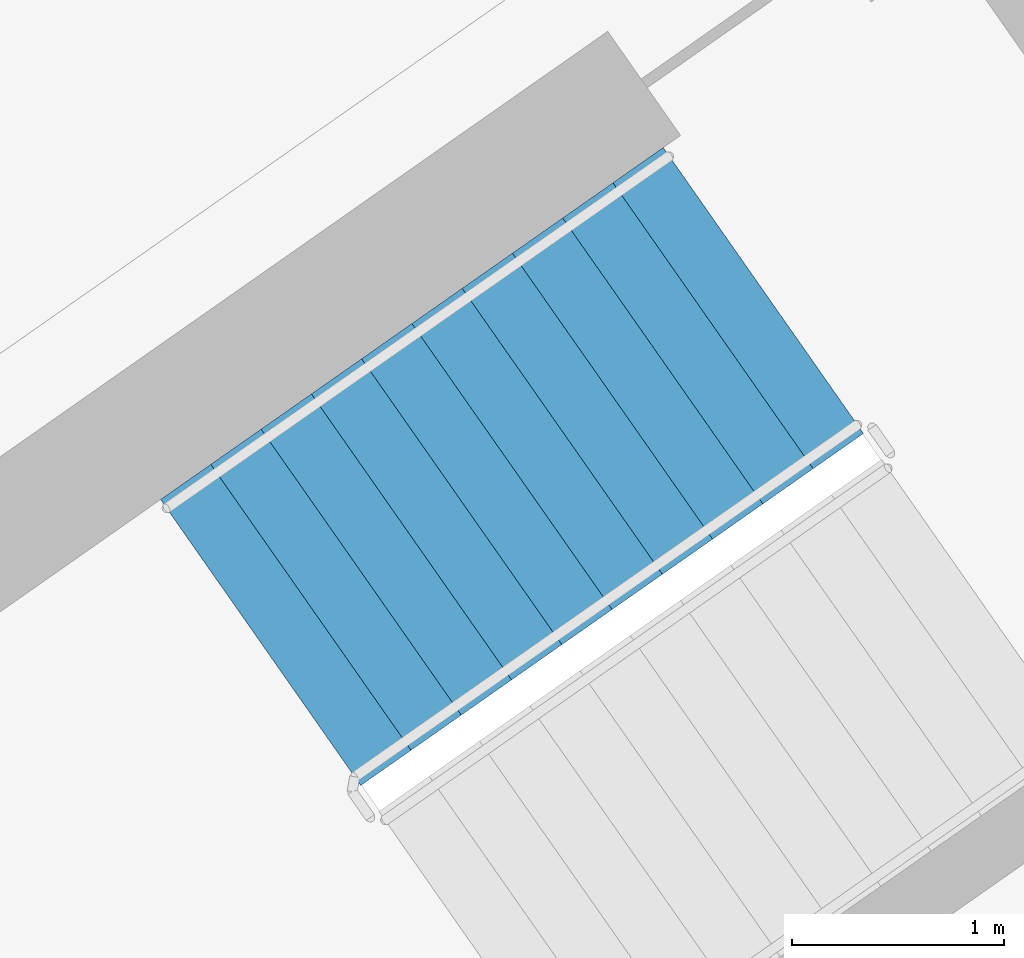
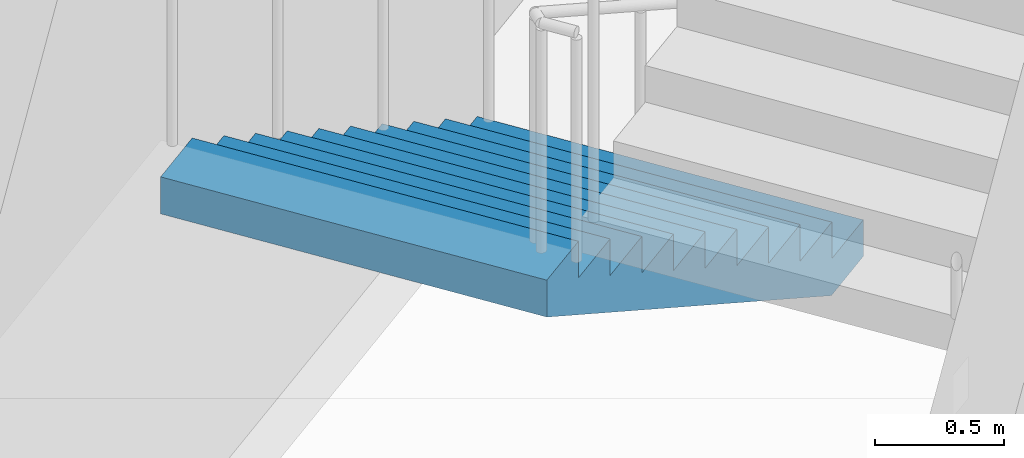
# One storey, part 16 of 28: 1 stair flight, 1 element without a shape of its own.
"""IFC4 building model written with IfcOpenShell, lengths in metres."""

from ifc_helpers import new_model, si_unit, direction, frame, origin, place, context, subcontext, project, spatial, faceted_brep, material, type_object, element, aggregate, save


model = new_model("IFC4")

# Units and contexts
model_context = context("Model", 3, precision=1e-05, world=origin(), true_north=direction((0.0, 1.0)))
body_context = subcontext(model_context, "Body", "Model", "MODEL_VIEW")
ifc_project = project(units=[si_unit("LENGTHUNIT", "METRE"), si_unit("AREAUNIT", "SQUARE_METRE"), si_unit("VOLUMEUNIT", "CUBIC_METRE"), si_unit("PLANEANGLEUNIT", "RADIAN"), si_unit("MASSUNIT", "GRAM", prefix="KILO")], contexts=[model_context])

# Site, building, storey
site_placement = place(None, origin())
site = spatial("IfcSite", under=ifc_project, at=site_placement, CompositionType="ELEMENT")
building_placement = place(site_placement, origin())
building = spatial("IfcBuilding", under=site, at=building_placement, Name="Qamariyya Broadcast Tower", CompositionType="ELEMENT")
storey_placement = place(building_placement, frame((0.0, 0.0, 265.699951171875)))
storey = spatial("IfcBuildingStorey", under=building, at=storey_placement, Name="L64", CompositionType="ELEMENT", Elevation=265.699951171875)

# Stair, stair flight
ifc_material = material(Name="Concrete C50/60", Category="concrete")
stair_type = type_object("IfcStairType", Name="Exit stair 22 risers of 173 mm", PredefinedType="HALF_TURN_STAIR", material=ifc_material)
stair_placement = place(storey_placement, origin())
stair = element("IfcStair", 1, at=stair_placement, inside=storey, type_object=stair_type, Name="L64 Stair E2", PredefinedType="HALF_TURN_STAIR")
stair_flight_type = type_object("IfcStairFlightType", Name="Exit stair flight 11 risers of 173 mm", PredefinedType="STRAIGHT", material=ifc_material)
stair_flight_placement = place(storey_placement, frame((40.558837890625, -47.685302734375, 0.0), z_axis=(0.0, 0.0, 1.0), x_axis=(-0.819152044289, -0.573576436351, 0.0)))
stair_flight = element("IfcStairFlight", 2, at=stair_flight_placement, type_object=stair_flight_type, Name="ST-E2 flight 1", NumberOfRisers=11, NumberOfTreads=10, PredefinedType="STRAIGHT", RiserHeight=0.172727273, TreadLength=0.29, context=body_context, shape_type="Brep", body=[
    faceted_brep([(0.0, 0.824951171875, 0.0), (0.0, 0.824951171875, 0.172607421875), (0.2900390625, 0.824951171875, 0.172607421875), (0.2900390625, 0.824951171875, 0.345458984375), (0.580078125, 0.824951171875, 0.345458984375), (0.580078125, 0.824951171875, 0.51806640625), (0.8701171875, 0.824951171875, 0.51806640625), (0.8701171875, 0.824951171875, 0.69091796875), (1.159912109375, 0.824951171875, 0.69091796875), (1.159912109375, 0.824951171875, 0.863525390625), (1.449951171875, 0.824951171875, 0.863525390625), (1.449951171875, 0.824951171875, 1.036376953125), (1.739990234375, 0.824951171875, 1.036376953125), (1.739990234375, 0.824951171875, 1.208984375), (2.030029296875, 0.824951171875, 1.208984375), (2.030029296875, 0.824951171875, 1.3818359375), (2.320068359375, 0.824951171875, 1.3818359375), (2.320068359375, 0.824951171875, 1.554443359375), (2.610107421875, 0.824951171875, 1.554443359375), (2.610107421875, 0.824951171875, 1.727294921875), (2.89990234375, 0.824951171875, 1.727294921875), (2.89990234375, 0.824951171875, 1.552734375), (0.29296875, 0.824951171875, 0.0), (0.29296875, -0.824951171875, 0.0), (2.89990234375, -0.824951171875, 1.552734375), (2.89990234375, -0.824951171875, 1.727294921875), (2.610107421875, -0.824951171875, 1.727294921875), (2.610107421875, -0.824951171875, 1.554443359375), (2.320068359375, -0.824951171875, 1.554443359375), (2.320068359375, -0.824951171875, 1.3818359375), (2.030029296875, -0.824951171875, 1.3818359375), (2.030029296875, -0.824951171875, 1.208984375), (1.739990234375, -0.824951171875, 1.208984375), (1.739990234375, -0.824951171875, 1.036376953125), (1.449951171875, -0.824951171875, 1.036376953125), (1.449951171875, -0.824951171875, 0.863525390625), (1.159912109375, -0.824951171875, 0.863525390625), (1.159912109375, -0.824951171875, 0.69091796875), (0.8701171875, -0.824951171875, 0.69091796875), (0.8701171875, -0.824951171875, 0.51806640625), (0.580078125, -0.824951171875, 0.51806640625), (0.580078125, -0.824951171875, 0.345458984375), (0.2900390625, -0.824951171875, 0.345458984375), (0.2900390625, -0.824951171875, 0.172607421875), (0.0, -0.824951171875, 0.172607421875), (0.0, -0.824951171875, 0.0), (0.0, 0.10009765625, 0.0), (0.0, 0.086669921875, 0.0), (0.0, 0.0732421875, 0.0), (0.0, 0.06005859375, 0.0), (0.0, 0.046630859375, 0.0), (0.0, 0.033447265625, 0.0), (0.0, 0.02001953125, 0.0), (0.0, 0.006591796875, 0.0), (0.0, -0.006591796875, 0.0), (0.0, -0.02001953125, 0.0), (0.0, -0.033447265625, 0.0), (0.0, -0.046630859375, 0.0), (0.0, -0.06005859375, 0.0), (0.0, -0.0732421875, 0.0), (0.0, -0.086669921875, 0.0), (0.0, -0.10009765625, 0.0), (0.0, -0.10009765625, 0.172607421875), (0.0, -0.086669921875, 0.172607421875), (0.0, -0.0732421875, 0.172607421875), (0.0, -0.06005859375, 0.172607421875), (0.0, -0.046630859375, 0.172607421875), (0.0, -0.033447265625, 0.172607421875), (0.0, -0.02001953125, 0.172607421875), (0.0, -0.006591796875, 0.172607421875), (0.0, 0.006591796875, 0.172607421875), (0.0, 0.02001953125, 0.172607421875), (0.0, 0.033447265625, 0.172607421875), (0.0, 0.046630859375, 0.172607421875), (0.0, 0.06005859375, 0.172607421875), (0.0, 0.0732421875, 0.172607421875), (0.0, 0.086669921875, 0.172607421875), (0.0, 0.10009765625, 0.172607421875), (0.2900390625, -0.10009765625, 0.172607421875), (0.2900390625, -0.086669921875, 0.172607421875), (0.2900390625, -0.0732421875, 0.172607421875), (0.2900390625, -0.06005859375, 0.172607421875), (0.2900390625, -0.046630859375, 0.172607421875), (0.2900390625, -0.033447265625, 0.172607421875), (0.2900390625, -0.02001953125, 0.172607421875), (0.2900390625, -0.006591796875, 0.172607421875), (0.2900390625, 0.006591796875, 0.172607421875), (0.2900390625, 0.02001953125, 0.172607421875), (0.2900390625, 0.033447265625, 0.172607421875), (0.2900390625, 0.046630859375, 0.172607421875), (0.2900390625, 0.06005859375, 0.172607421875), (0.2900390625, 0.0732421875, 0.172607421875), (0.2900390625, 0.086669921875, 0.172607421875), (0.2900390625, 0.10009765625, 0.172607421875), (0.2900390625, -0.10009765625, 0.345458984375), (0.2900390625, -0.086669921875, 0.345458984375), (0.2900390625, -0.0732421875, 0.345458984375), (0.2900390625, -0.06005859375, 0.345458984375), (0.2900390625, -0.046630859375, 0.345458984375), (0.2900390625, -0.033447265625, 0.345458984375), (0.2900390625, -0.02001953125, 0.345458984375), (0.2900390625, -0.006591796875, 0.345458984375), (0.2900390625, 0.006591796875, 0.345458984375), (0.2900390625, 0.02001953125, 0.345458984375), (0.2900390625, 0.033447265625, 0.345458984375), (0.2900390625, 0.046630859375, 0.345458984375), (0.2900390625, 0.06005859375, 0.345458984375), (0.2900390625, 0.0732421875, 0.345458984375), (0.2900390625, 0.086669921875, 0.345458984375), (0.2900390625, 0.10009765625, 0.345458984375), (0.580078125, -0.10009765625, 0.345458984375), (0.580078125, -0.086669921875, 0.345458984375), (0.580078125, -0.0732421875, 0.345458984375), (0.580078125, -0.06005859375, 0.345458984375), (0.580078125, -0.046630859375, 0.345458984375), (0.580078125, -0.033447265625, 0.345458984375), (0.580078125, -0.02001953125, 0.345458984375), (0.580078125, -0.006591796875, 0.345458984375), (0.580078125, 0.006591796875, 0.345458984375), (0.580078125, 0.02001953125, 0.345458984375), (0.580078125, 0.033447265625, 0.345458984375), (0.580078125, 0.046630859375, 0.345458984375), (0.580078125, 0.06005859375, 0.345458984375), (0.580078125, 0.0732421875, 0.345458984375), (0.580078125, 0.086669921875, 0.345458984375), (0.580078125, 0.10009765625, 0.345458984375), (0.580078125, -0.10009765625, 0.51806640625), (0.580078125, -0.086669921875, 0.51806640625), (0.580078125, -0.0732421875, 0.51806640625), (0.580078125, -0.06005859375, 0.51806640625), (0.580078125, -0.046630859375, 0.51806640625), (0.580078125, -0.033447265625, 0.51806640625), (0.580078125, -0.02001953125, 0.51806640625), (0.580078125, -0.006591796875, 0.51806640625), (0.580078125, 0.006591796875, 0.51806640625), (0.580078125, 0.02001953125, 0.51806640625), (0.580078125, 0.033447265625, 0.51806640625), (0.580078125, 0.046630859375, 0.51806640625), (0.580078125, 0.06005859375, 0.51806640625), (0.580078125, 0.0732421875, 0.51806640625), (0.580078125, 0.086669921875, 0.51806640625), (0.580078125, 0.10009765625, 0.51806640625), (0.8701171875, -0.10009765625, 0.51806640625), (0.8701171875, -0.086669921875, 0.51806640625), (0.8701171875, -0.0732421875, 0.51806640625), (0.8701171875, -0.06005859375, 0.51806640625), (0.8701171875, -0.046630859375, 0.51806640625), (0.8701171875, -0.033447265625, 0.51806640625), (0.8701171875, -0.02001953125, 0.51806640625), (0.8701171875, -0.006591796875, 0.51806640625), (0.8701171875, 0.006591796875, 0.51806640625), (0.8701171875, 0.02001953125, 0.51806640625), (0.8701171875, 0.033447265625, 0.51806640625), (0.8701171875, 0.046630859375, 0.51806640625), (0.8701171875, 0.06005859375, 0.51806640625), (0.8701171875, 0.0732421875, 0.51806640625), (0.8701171875, 0.086669921875, 0.51806640625), (0.8701171875, 0.10009765625, 0.51806640625), (0.8701171875, -0.10009765625, 0.69091796875), (0.8701171875, -0.086669921875, 0.69091796875), (0.8701171875, -0.0732421875, 0.69091796875), (0.8701171875, -0.06005859375, 0.69091796875), (0.8701171875, -0.046630859375, 0.69091796875), (0.8701171875, -0.033447265625, 0.69091796875), (0.8701171875, -0.02001953125, 0.69091796875), (0.8701171875, -0.006591796875, 0.69091796875), (0.8701171875, 0.006591796875, 0.69091796875), (0.8701171875, 0.02001953125, 0.69091796875), (0.8701171875, 0.033447265625, 0.69091796875), (0.8701171875, 0.046630859375, 0.69091796875), (0.8701171875, 0.06005859375, 0.69091796875), (0.8701171875, 0.0732421875, 0.69091796875), (0.8701171875, 0.086669921875, 0.69091796875), (0.8701171875, 0.10009765625, 0.69091796875), (1.159912109375, -0.10009765625, 0.69091796875), (1.159912109375, -0.086669921875, 0.69091796875), (1.159912109375, -0.0732421875, 0.69091796875), (1.159912109375, -0.06005859375, 0.69091796875), (1.159912109375, -0.046630859375, 0.69091796875), (1.159912109375, -0.033447265625, 0.69091796875), (1.159912109375, -0.02001953125, 0.69091796875), (1.159912109375, -0.006591796875, 0.69091796875), (1.159912109375, 0.006591796875, 0.69091796875), (1.159912109375, 0.02001953125, 0.69091796875), (1.159912109375, 0.033447265625, 0.69091796875), (1.159912109375, 0.046630859375, 0.69091796875), (1.159912109375, 0.06005859375, 0.69091796875), (1.159912109375, 0.0732421875, 0.69091796875), (1.159912109375, 0.086669921875, 0.69091796875), (1.159912109375, 0.10009765625, 0.69091796875), (1.159912109375, -0.10009765625, 0.863525390625), (1.159912109375, -0.086669921875, 0.863525390625), (1.159912109375, -0.0732421875, 0.863525390625), (1.159912109375, -0.06005859375, 0.863525390625), (1.159912109375, -0.046630859375, 0.863525390625), (1.159912109375, -0.033447265625, 0.863525390625), (1.159912109375, -0.02001953125, 0.863525390625), (1.159912109375, -0.006591796875, 0.863525390625), (1.159912109375, 0.006591796875, 0.863525390625), (1.159912109375, 0.02001953125, 0.863525390625), (1.159912109375, 0.033447265625, 0.863525390625), (1.159912109375, 0.046630859375, 0.863525390625), (1.159912109375, 0.06005859375, 0.863525390625), (1.159912109375, 0.0732421875, 0.863525390625), (1.159912109375, 0.086669921875, 0.863525390625), (1.159912109375, 0.10009765625, 0.863525390625), (1.449951171875, -0.10009765625, 0.863525390625), (1.449951171875, -0.086669921875, 0.863525390625), (1.449951171875, -0.0732421875, 0.863525390625), (1.449951171875, -0.06005859375, 0.863525390625), (1.449951171875, -0.046630859375, 0.863525390625), (1.449951171875, -0.033447265625, 0.863525390625), (1.449951171875, -0.02001953125, 0.863525390625), (1.449951171875, -0.006591796875, 0.863525390625), (1.449951171875, 0.006591796875, 0.863525390625), (1.449951171875, 0.02001953125, 0.863525390625), (1.449951171875, 0.033447265625, 0.863525390625), (1.449951171875, 0.046630859375, 0.863525390625), (1.449951171875, 0.06005859375, 0.863525390625), (1.449951171875, 0.0732421875, 0.863525390625), (1.449951171875, 0.086669921875, 0.863525390625), (1.449951171875, 0.10009765625, 0.863525390625), (1.449951171875, -0.10009765625, 1.036376953125), (1.449951171875, -0.086669921875, 1.036376953125), (1.449951171875, -0.0732421875, 1.036376953125), (1.449951171875, -0.06005859375, 1.036376953125), (1.449951171875, -0.046630859375, 1.036376953125), (1.449951171875, -0.033447265625, 1.036376953125), (1.449951171875, -0.02001953125, 1.036376953125), (1.449951171875, -0.006591796875, 1.036376953125), (1.449951171875, 0.006591796875, 1.036376953125), (1.449951171875, 0.02001953125, 1.036376953125), (1.449951171875, 0.033447265625, 1.036376953125), (1.449951171875, 0.046630859375, 1.036376953125), (1.449951171875, 0.06005859375, 1.036376953125), (1.449951171875, 0.0732421875, 1.036376953125), (1.449951171875, 0.086669921875, 1.036376953125), (1.449951171875, 0.10009765625, 1.036376953125), (1.739990234375, -0.10009765625, 1.036376953125), (1.739990234375, -0.086669921875, 1.036376953125), (1.739990234375, -0.0732421875, 1.036376953125), (1.739990234375, -0.06005859375, 1.036376953125), (1.739990234375, -0.046630859375, 1.036376953125), (1.739990234375, -0.033447265625, 1.036376953125), (1.739990234375, -0.02001953125, 1.036376953125), (1.739990234375, -0.006591796875, 1.036376953125), (1.739990234375, 0.006591796875, 1.036376953125), (1.739990234375, 0.02001953125, 1.036376953125), (1.739990234375, 0.033447265625, 1.036376953125), (1.739990234375, 0.046630859375, 1.036376953125), (1.739990234375, 0.06005859375, 1.036376953125), (1.739990234375, 0.0732421875, 1.036376953125), (1.739990234375, 0.086669921875, 1.036376953125), (1.739990234375, 0.10009765625, 1.036376953125), (1.739990234375, -0.10009765625, 1.208984375), (1.739990234375, -0.086669921875, 1.208984375), (1.739990234375, -0.0732421875, 1.208984375), (1.739990234375, -0.06005859375, 1.208984375), (1.739990234375, -0.046630859375, 1.208984375), (1.739990234375, -0.033447265625, 1.208984375), (1.739990234375, -0.02001953125, 1.208984375), (1.739990234375, -0.006591796875, 1.208984375), (1.739990234375, 0.006591796875, 1.208984375), (1.739990234375, 0.02001953125, 1.208984375), (1.739990234375, 0.033447265625, 1.208984375), (1.739990234375, 0.046630859375, 1.208984375), (1.739990234375, 0.06005859375, 1.208984375), (1.739990234375, 0.0732421875, 1.208984375), (1.739990234375, 0.086669921875, 1.208984375), (1.739990234375, 0.10009765625, 1.208984375), (2.030029296875, -0.10009765625, 1.208984375), (2.030029296875, -0.086669921875, 1.208984375), (2.030029296875, -0.0732421875, 1.208984375), (2.030029296875, -0.06005859375, 1.208984375), (2.030029296875, -0.046630859375, 1.208984375), (2.030029296875, -0.033447265625, 1.208984375), (2.030029296875, -0.02001953125, 1.208984375), (2.030029296875, -0.006591796875, 1.208984375), (2.030029296875, 0.006591796875, 1.208984375), (2.030029296875, 0.02001953125, 1.208984375), (2.030029296875, 0.033447265625, 1.208984375), (2.030029296875, 0.046630859375, 1.208984375), (2.030029296875, 0.06005859375, 1.208984375), (2.030029296875, 0.0732421875, 1.208984375), (2.030029296875, 0.086669921875, 1.208984375), (2.030029296875, 0.10009765625, 1.208984375), (2.030029296875, -0.10009765625, 1.3818359375), (2.030029296875, -0.086669921875, 1.3818359375), (2.030029296875, -0.0732421875, 1.3818359375), (2.030029296875, -0.06005859375, 1.3818359375), (2.030029296875, -0.046630859375, 1.3818359375), (2.030029296875, -0.033447265625, 1.3818359375), (2.030029296875, -0.02001953125, 1.3818359375), (2.030029296875, -0.006591796875, 1.3818359375), (2.030029296875, 0.006591796875, 1.3818359375), (2.030029296875, 0.02001953125, 1.3818359375), (2.030029296875, 0.033447265625, 1.3818359375), (2.030029296875, 0.046630859375, 1.3818359375), (2.030029296875, 0.06005859375, 1.3818359375), (2.030029296875, 0.0732421875, 1.3818359375), (2.030029296875, 0.086669921875, 1.3818359375), (2.030029296875, 0.10009765625, 1.3818359375), (2.320068359375, -0.10009765625, 1.3818359375), (2.320068359375, -0.086669921875, 1.3818359375), (2.320068359375, -0.0732421875, 1.3818359375), (2.320068359375, -0.06005859375, 1.3818359375), (2.320068359375, -0.046630859375, 1.3818359375), (2.320068359375, -0.033447265625, 1.3818359375), (2.320068359375, -0.02001953125, 1.3818359375), (2.320068359375, -0.006591796875, 1.3818359375), (2.320068359375, 0.006591796875, 1.3818359375), (2.320068359375, 0.02001953125, 1.3818359375), (2.320068359375, 0.033447265625, 1.3818359375), (2.320068359375, 0.046630859375, 1.3818359375), (2.320068359375, 0.06005859375, 1.3818359375), (2.320068359375, 0.0732421875, 1.3818359375), (2.320068359375, 0.086669921875, 1.3818359375), (2.320068359375, 0.10009765625, 1.3818359375), (2.320068359375, -0.10009765625, 1.554443359375), (2.320068359375, -0.086669921875, 1.554443359375), (2.320068359375, -0.0732421875, 1.554443359375), (2.320068359375, -0.06005859375, 1.554443359375), (2.320068359375, -0.046630859375, 1.554443359375), (2.320068359375, -0.033447265625, 1.554443359375), (2.320068359375, -0.02001953125, 1.554443359375), (2.320068359375, -0.006591796875, 1.554443359375), (2.320068359375, 0.006591796875, 1.554443359375), (2.320068359375, 0.02001953125, 1.554443359375), (2.320068359375, 0.033447265625, 1.554443359375), (2.320068359375, 0.046630859375, 1.554443359375), (2.320068359375, 0.06005859375, 1.554443359375), (2.320068359375, 0.0732421875, 1.554443359375), (2.320068359375, 0.086669921875, 1.554443359375), (2.320068359375, 0.10009765625, 1.554443359375), (2.610107421875, -0.10009765625, 1.554443359375), (2.610107421875, -0.086669921875, 1.554443359375), (2.610107421875, -0.0732421875, 1.554443359375), (2.610107421875, -0.06005859375, 1.554443359375), (2.610107421875, -0.046630859375, 1.554443359375), (2.610107421875, -0.033447265625, 1.554443359375), (2.610107421875, -0.02001953125, 1.554443359375), (2.610107421875, -0.006591796875, 1.554443359375), (2.610107421875, 0.006591796875, 1.554443359375), (2.610107421875, 0.02001953125, 1.554443359375), (2.610107421875, 0.033447265625, 1.554443359375), (2.610107421875, 0.046630859375, 1.554443359375), (2.610107421875, 0.06005859375, 1.554443359375), (2.610107421875, 0.0732421875, 1.554443359375), (2.610107421875, 0.086669921875, 1.554443359375), (2.610107421875, 0.10009765625, 1.554443359375), (2.610107421875, -0.10009765625, 1.727294921875), (2.610107421875, -0.086669921875, 1.727294921875), (2.610107421875, -0.0732421875, 1.727294921875), (2.610107421875, -0.06005859375, 1.727294921875), (2.610107421875, -0.046630859375, 1.727294921875), (2.610107421875, -0.033447265625, 1.727294921875), (2.610107421875, -0.02001953125, 1.727294921875), (2.610107421875, -0.006591796875, 1.727294921875), (2.610107421875, 0.006591796875, 1.727294921875), (2.610107421875, 0.02001953125, 1.727294921875), (2.610107421875, 0.033447265625, 1.727294921875), (2.610107421875, 0.046630859375, 1.727294921875), (2.610107421875, 0.06005859375, 1.727294921875), (2.610107421875, 0.0732421875, 1.727294921875), (2.610107421875, 0.086669921875, 1.727294921875), (2.610107421875, 0.10009765625, 1.727294921875), (2.89990234375, -0.10009765625, 1.727294921875), (2.89990234375, -0.086669921875, 1.727294921875), (2.89990234375, -0.0732421875, 1.727294921875), (2.89990234375, -0.06005859375, 1.727294921875), (2.89990234375, -0.046630859375, 1.727294921875), (2.89990234375, -0.033447265625, 1.727294921875), (2.89990234375, -0.02001953125, 1.727294921875), (2.89990234375, -0.006591796875, 1.727294921875), (2.89990234375, 0.006591796875, 1.727294921875), (2.89990234375, 0.02001953125, 1.727294921875), (2.89990234375, 0.033447265625, 1.727294921875), (2.89990234375, 0.046630859375, 1.727294921875), (2.89990234375, 0.06005859375, 1.727294921875), (2.89990234375, 0.0732421875, 1.727294921875), (2.89990234375, 0.086669921875, 1.727294921875), (2.89990234375, 0.10009765625, 1.727294921875), (2.89990234375, -0.10009765625, 1.552734375), (2.89990234375, -0.086669921875, 1.552734375), (2.89990234375, -0.0732421875, 1.552734375), (2.89990234375, -0.06005859375, 1.552734375), (2.89990234375, -0.046630859375, 1.552734375), (2.89990234375, -0.033447265625, 1.552734375), (2.89990234375, -0.02001953125, 1.552734375), (2.89990234375, -0.006591796875, 1.552734375), (2.89990234375, 0.006591796875, 1.552734375), (2.89990234375, 0.02001953125, 1.552734375), (2.89990234375, 0.033447265625, 1.552734375), (2.89990234375, 0.046630859375, 1.552734375), (2.89990234375, 0.06005859375, 1.552734375), (2.89990234375, 0.0732421875, 1.552734375), (2.89990234375, 0.086669921875, 1.552734375), (2.89990234375, 0.10009765625, 1.552734375), (0.29296875, -0.10009765625, 0.0), (0.29296875, -0.086669921875, 0.0), (0.29296875, -0.0732421875, 0.0), (0.29296875, -0.06005859375, 0.0), (0.29296875, -0.046630859375, 0.0), (0.29296875, -0.033447265625, 0.0), (0.29296875, -0.02001953125, 0.0), (0.29296875, -0.006591796875, 0.0), (0.29296875, 0.006591796875, 0.0), (0.29296875, 0.02001953125, 0.0), (0.29296875, 0.033447265625, 0.0), (0.29296875, 0.046630859375, 0.0), (0.29296875, 0.06005859375, 0.0), (0.29296875, 0.0732421875, 0.0), (0.29296875, 0.086669921875, 0.0), (0.29296875, 0.10009765625, 0.0)], [[[0, 1, 2, 3, 4, 5, 6, 7, 8, 9, 10, 11, 12, 13, 14, 15, 16, 17, 18, 19, 20, 21, 22]], [[23, 24, 25, 26, 27, 28, 29, 30, 31, 32, 33, 34, 35, 36, 37, 38, 39, 40, 41, 42, 43, 44, 45]], [[0, 46, 47, 48, 49, 50, 51, 52, 53, 54, 55, 56, 57, 58, 59, 60, 61, 45, 44, 62, 63, 64, 65, 66, 67, 68, 69, 70, 71, 72, 73, 74, 75, 76, 77, 1]], [[1, 77, 76, 75, 74, 73, 72, 71, 70, 69, 68, 67, 66, 65, 64, 63, 62, 44, 43, 78, 79, 80, 81, 82, 83, 84, 85, 86, 87, 88, 89, 90, 91, 92, 93, 2]], [[2, 93, 92, 91, 90, 89, 88, 87, 86, 85, 84, 83, 82, 81, 80, 79, 78, 43, 42, 94, 95, 96, 97, 98, 99, 100, 101, 102, 103, 104, 105, 106, 107, 108, 109, 3]], [[3, 109, 108, 107, 106, 105, 104, 103, 102, 101, 100, 99, 98, 97, 96, 95, 94, 42, 41, 110, 111, 112, 113, 114, 115, 116, 117, 118, 119, 120, 121, 122, 123, 124, 125, 4]], [[4, 125, 124, 123, 122, 121, 120, 119, 118, 117, 116, 115, 114, 113, 112, 111, 110, 41, 40, 126, 127, 128, 129, 130, 131, 132, 133, 134, 135, 136, 137, 138, 139, 140, 141, 5]], [[5, 141, 140, 139, 138, 137, 136, 135, 134, 133, 132, 131, 130, 129, 128, 127, 126, 40, 39, 142, 143, 144, 145, 146, 147, 148, 149, 150, 151, 152, 153, 154, 155, 156, 157, 6]], [[6, 157, 156, 155, 154, 153, 152, 151, 150, 149, 148, 147, 146, 145, 144, 143, 142, 39, 38, 158, 159, 160, 161, 162, 163, 164, 165, 166, 167, 168, 169, 170, 171, 172, 173, 7]], [[7, 173, 172, 171, 170, 169, 168, 167, 166, 165, 164, 163, 162, 161, 160, 159, 158, 38, 37, 174, 175, 176, 177, 178, 179, 180, 181, 182, 183, 184, 185, 186, 187, 188, 189, 8]], [[8, 189, 188, 187, 186, 185, 184, 183, 182, 181, 180, 179, 178, 177, 176, 175, 174, 37, 36, 190, 191, 192, 193, 194, 195, 196, 197, 198, 199, 200, 201, 202, 203, 204, 205, 9]], [[9, 205, 204, 203, 202, 201, 200, 199, 198, 197, 196, 195, 194, 193, 192, 191, 190, 36, 35, 206, 207, 208, 209, 210, 211, 212, 213, 214, 215, 216, 217, 218, 219, 220, 221, 10]], [[10, 221, 220, 219, 218, 217, 216, 215, 214, 213, 212, 211, 210, 209, 208, 207, 206, 35, 34, 222, 223, 224, 225, 226, 227, 228, 229, 230, 231, 232, 233, 234, 235, 236, 237, 11]], [[11, 237, 236, 235, 234, 233, 232, 231, 230, 229, 228, 227, 226, 225, 224, 223, 222, 34, 33, 238, 239, 240, 241, 242, 243, 244, 245, 246, 247, 248, 249, 250, 251, 252, 253, 12]], [[12, 253, 252, 251, 250, 249, 248, 247, 246, 245, 244, 243, 242, 241, 240, 239, 238, 33, 32, 254, 255, 256, 257, 258, 259, 260, 261, 262, 263, 264, 265, 266, 267, 268, 269, 13]], [[13, 269, 268, 267, 266, 265, 264, 263, 262, 261, 260, 259, 258, 257, 256, 255, 254, 32, 31, 270, 271, 272, 273, 274, 275, 276, 277, 278, 279, 280, 281, 282, 283, 284, 285, 14]], [[14, 285, 284, 283, 282, 281, 280, 279, 278, 277, 276, 275, 274, 273, 272, 271, 270, 31, 30, 286, 287, 288, 289, 290, 291, 292, 293, 294, 295, 296, 297, 298, 299, 300, 301, 15]], [[15, 301, 300, 299, 298, 297, 296, 295, 294, 293, 292, 291, 290, 289, 288, 287, 286, 30, 29, 302, 303, 304, 305, 306, 307, 308, 309, 310, 311, 312, 313, 314, 315, 316, 317, 16]], [[16, 317, 316, 315, 314, 313, 312, 311, 310, 309, 308, 307, 306, 305, 304, 303, 302, 29, 28, 318, 319, 320, 321, 322, 323, 324, 325, 326, 327, 328, 329, 330, 331, 332, 333, 17]], [[17, 333, 332, 331, 330, 329, 328, 327, 326, 325, 324, 323, 322, 321, 320, 319, 318, 28, 27, 334, 335, 336, 337, 338, 339, 340, 341, 342, 343, 344, 345, 346, 347, 348, 349, 18]], [[18, 349, 348, 347, 346, 345, 344, 343, 342, 341, 340, 339, 338, 337, 336, 335, 334, 27, 26, 350, 351, 352, 353, 354, 355, 356, 357, 358, 359, 360, 361, 362, 363, 364, 365, 19]], [[19, 365, 364, 363, 362, 361, 360, 359, 358, 357, 356, 355, 354, 353, 352, 351, 350, 26, 25, 366, 367, 368, 369, 370, 371, 372, 373, 374, 375, 376, 377, 378, 379, 380, 381, 20]], [[20, 381, 380, 379, 378, 377, 376, 375, 374, 373, 372, 371, 370, 369, 368, 367, 366, 25, 24, 382, 383, 384, 385, 386, 387, 388, 389, 390, 391, 392, 393, 394, 395, 396, 397, 21]], [[21, 397, 396, 395, 394, 393, 392, 391, 390, 389, 388, 387, 386, 385, 384, 383, 382, 24, 23, 398, 399, 400, 401, 402, 403, 404, 405, 406, 407, 408, 409, 410, 411, 412, 413, 22]], [[22, 413, 412, 411, 410, 409, 408, 407, 406, 405, 404, 403, 402, 401, 400, 399, 398, 23, 45, 61, 60, 59, 58, 57, 56, 55, 54, 53, 52, 51, 50, 49, 48, 47, 46, 0]]]),
])
aggregate(stair, [stair_flight])

save(model, "model.ifc")
